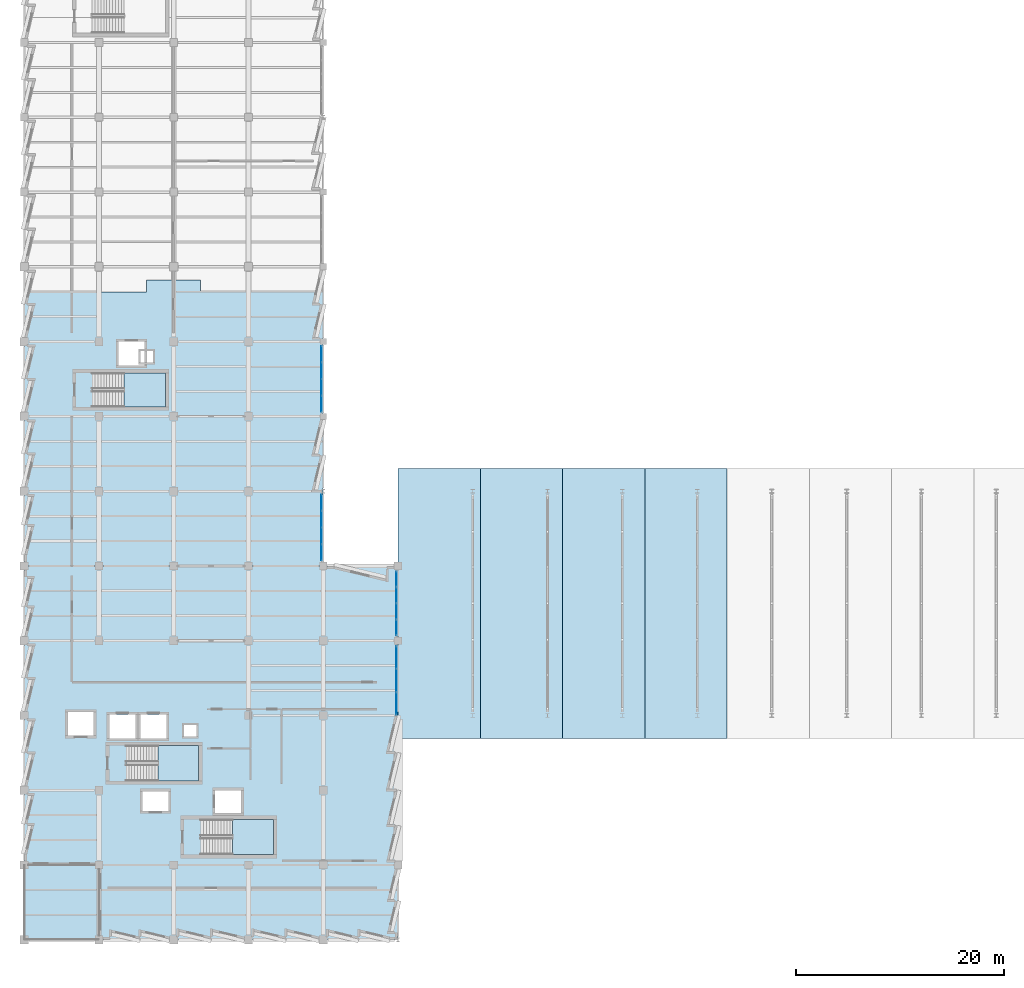
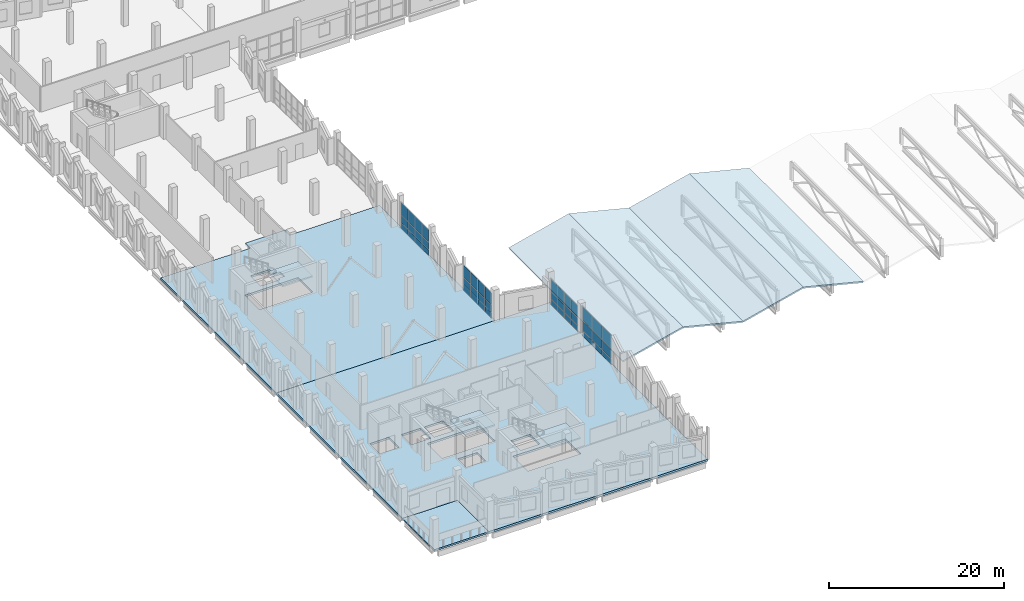
# One storey, part 74 of 123: 45 plates, 10 slabs, 7 elements without a shape of their own.
"""IFC4 building model written with IfcOpenShell, lengths in metres."""

from ifc_helpers import new_model, si_unit, direction, frame, origin, origin_2d, place, context, subcontext, project, spatial, polyline, rectangle, outline, extrude, material, layer, layer_set, type_object, element, aggregate, save


model = new_model("IFC4")

# Units and contexts
model_context = context("Model", 3, precision=1e-05, world=origin(), true_north=direction((0.0, 1.0)))
body_context = subcontext(model_context, "Body", "Model", "MODEL_VIEW")
ifc_project = project(units=[si_unit("LENGTHUNIT", "METRE"), si_unit("AREAUNIT", "SQUARE_METRE"), si_unit("VOLUMEUNIT", "CUBIC_METRE"), si_unit("PLANEANGLEUNIT", "RADIAN"), si_unit("MASSUNIT", "GRAM", prefix="KILO")], contexts=[model_context])

# Site, building, storey
site_placement = place(None, origin())
site = spatial("IfcSite", under=ifc_project, at=site_placement, CompositionType="ELEMENT")
building_placement = place(site_placement, origin())
building = spatial("IfcBuilding", under=site, at=building_placement, Name="Kalmorath City Hall", CompositionType="ELEMENT")
storey_placement = place(building_placement, frame((0.0, 0.0, 10.199951171875)))
storey = spatial("IfcBuildingStorey", under=building, at=storey_placement, Name="L02", CompositionType="ELEMENT", Elevation=10.199951171875)

# Slabs
ifc_material_1 = material(Name="Concrete C40/50", Category="concrete")
ifc_layer_1 = layer(ifc_material_1, 0.280029296875)
ifc_layer_set_1 = layer_set([ifc_layer_1], Name="Concrete C40/50")
slab_type_1 = type_object("IfcSlabType", Name="Concrete composite floor slab 280", PredefinedType="FLOOR", material=ifc_layer_set_1)
slab_1_placement = place(storey_placement, frame((0.0, 0.0, -0.280029296875)))
element("IfcSlab", 1, at=slab_1_placement, inside=storey, type_object=slab_type_1, Name="L02 Corner Administration Block slab FS2-1", PredefinedType="FLOOR", context=body_context, shape_type="SweptSolid", body=[
    extrude(outline(polyline([(0.0, 36.0), (36.0, 36.0), (36.0, 0.0), (7.199951171875, 0.0), (7.199951171875, 7.199951171875), (0.0, 7.199951171875), (0.0, 36.0)]), holes=[polyline([(16.800048828125, 15.300048828125), (16.800048828125, 18.699951171875), (9.840087890625, 18.699951171875), (9.840087890625, 15.300048828125), (16.800048828125, 15.300048828125)]), polyline([(4.199951171875, 19.64990234375), (6.699951171875, 19.64990234375), (6.699951171875, 21.949951171875), (4.199951171875, 21.949951171875), (4.199951171875, 19.64990234375)]), polyline([(8.199951171875, 21.699951171875), (8.199951171875, 19.39990234375), (10.699951171875, 19.39990234375), (10.699951171875, 21.699951171875), (8.199951171875, 21.699951171875)]), polyline([(13.699951171875, 21.699951171875), (11.199951171875, 21.699951171875), (11.199951171875, 19.39990234375), (13.699951171875, 19.39990234375), (13.699951171875, 21.699951171875)]), polyline([(24.0, 8.199951171875), (24.0, 11.60009765625), (17.0400390625, 11.60009765625), (17.0400390625, 8.199951171875), (24.0, 8.199951171875)]), polyline([(11.39990234375, 12.39990234375), (13.89990234375, 12.39990234375), (13.89990234375, 14.300048828125), (11.39990234375, 14.300048828125), (11.39990234375, 12.39990234375)]), polyline([(18.39990234375, 14.39990234375), (18.39990234375, 12.199951171875), (20.89990234375, 12.199951171875), (20.89990234375, 14.39990234375), (18.39990234375, 14.39990234375)]), polyline([(16.60009765625, 20.679931640625), (15.39990234375, 20.679931640625), (15.39990234375, 19.60009765625), (16.60009765625, 19.60009765625), (16.60009765625, 20.679931640625)])]), origin(), (0.0, 0.0, 1.0), 0.280029296875),
])
slab_2_placement = place(storey_placement, frame((0.0, 0.0, -0.280029296875)))
element("IfcSlab", 2, at=slab_2_placement, inside=storey, type_object=slab_type_1, Name="L02 West Sawtooth Wing and Civic Storm Arcade slab FS2-1", PredefinedType="FLOOR", context=body_context, shape_type="SweptSolid", body=[
    extrude(outline(polyline([(0.0, 36.0), (0.0, 62.39990234375), (11.800048828125, 62.39990234375), (11.800048828125, 63.550048828125), (17.0, 63.550048828125), (17.0, 62.39990234375), (28.800048828125, 62.39990234375), (28.800048828125, 36.0), (0.0, 36.0)]), holes=[polyline([(6.590087890625, 54.60009765625), (6.590087890625, 51.300048828125), (13.60009765625, 51.300048828125), (13.60009765625, 54.60009765625), (6.590087890625, 54.60009765625)]), polyline([(11.60009765625, 55.60009765625), (12.39990234375, 55.60009765625), (12.39990234375, 56.679931640625), (11.60009765625, 56.679931640625), (11.60009765625, 57.60009765625), (9.10009765625, 57.60009765625), (9.10009765625, 55.300048828125), (11.60009765625, 55.300048828125), (11.60009765625, 55.60009765625)])]), origin(), (0.0, 0.0, 1.0), 0.280029296875),
])
ifc_material_2 = material(Name="Concrete C40/50", Category="concrete")
ifc_layer_2 = layer(ifc_material_2, 0.199951171875)
ifc_layer_set_2 = layer_set([ifc_layer_2], Name="Concrete C40/50")
slab_type_2 = type_object("IfcSlabType", Name="Concrete folded-plate hall roof slab 200", PredefinedType="ROOF", material=ifc_layer_set_2)
slab_3_placement = place(storey_placement, frame((36.0, 19.39990234375, 1.900146484375), z_axis=(-0.242535625036, 0.0, 0.970142500145), x_axis=(0.970142500145, 0.0, 0.242535625036)))
element("IfcSlab", 3, at=slab_3_placement, inside=storey, type_object=slab_type_2, Name="Public Hall folded roof panel F1", PredefinedType="ROOF", context=body_context, shape_type="SweptSolid", body=[
    extrude(outline(polyline([(0.0, 0.0), (8.163668609316217, 0.0), (8.163668609316217, 26.0), (0.0, 26.0), (0.0, 0.0)])), origin(), (0.0, 0.0, -1.0), 0.199951171875),
])
slab_4_placement = place(storey_placement, frame((43.919921875, 19.39990234375, 3.880126953125), z_axis=(0.242528588587, 0.0, 0.97014425923), x_axis=(0.97014425923, 0.0, -0.242528588587)))
element("IfcSlab", 4, at=slab_4_placement, inside=storey, type_object=slab_type_2, Name="Public Hall folded roof panel F2", PredefinedType="ROOF", context=body_context, shape_type="SweptSolid", body=[
    extrude(outline(polyline([(0.0, 0.0), (8.163905460727278, 0.0), (8.163905460727278, 26.0), (0.0, 26.0), (0.0, 0.0)])), origin(), (0.0, 0.0, -1.0), 0.199951171875),
])
for number, where, z_axis, x_axis, name in (
    (5, (51.840087890625, 19.39990234375, 1.900146484375), (-0.242535625036, 0.0, 0.970142500145), (0.970142500145, 0.0, 0.242535625036), "Public Hall folded roof panel F3"),
    (6, (59.760009765625, 19.39990234375, 3.880126953125), (0.242535625036, 0.0, 0.970142500145), (0.970142500145, 0.0, -0.242535625036), "Public Hall folded roof panel F4"),
):
    element("IfcSlab", number, at=place(storey_placement, frame(where, z_axis=z_axis, x_axis=x_axis)), inside=storey, type_object=slab_type_2, Name=name, PredefinedType="ROOF", context=body_context, shape_type="SweptSolid", body=[
        extrude(outline(polyline([(0.0, 0.0), (8.163668609316217, 0.0), (8.163668609316217, 26.0), (0.0, 26.0), (0.0, 0.0)])), origin(), (0.0, 0.0, -1.0), 0.199951171875),
    ])
ifc_material_3 = material(Name="Concrete C40/50", Category="concrete")
ifc_layer_3 = layer(ifc_material_3, 0.22998046875)
ifc_layer_set_3 = layer_set([ifc_layer_3], Name="Concrete C40/50")
slab_type_3 = type_object("IfcSlabType", Name="Concrete recessed corner loggia slab 230", PredefinedType="FLOOR", material=ifc_layer_set_3)
slab_5_placement = place(storey_placement, frame((0.0, 0.0, -0.22998046875)))
element("IfcSlab", 7, at=slab_5_placement, inside=storey, type_object=slab_type_3, Name="L02 Southwest Corner Loggia slab", PredefinedType="FLOOR", context=body_context, shape_type="SweptSolid", body=[
    extrude(outline(polyline([(0.0, 0.0), (7.199951171875, 0.0), (7.199951171875, 7.199951171875), (0.0, 7.199951171875), (0.0, 0.0)])), origin(), (0.0, 0.0, 1.0), 0.22998046875),
])

# Stair, slab
ifc_material_4 = material(Name="Concrete C40/50", Category="concrete")
stair_type_1 = type_object("IfcStairType", Name="Dogleg concrete exit stair 24R x 188mm W1600", PredefinedType="HALF_TURN_STAIR", material=ifc_material_4)
stair_1_placement = place(storey_placement, origin())
stair_1 = element("IfcStair", 8, at=stair_1_placement, inside=storey, type_object=stair_type_1, Name="L02 Protected exit stair ST-1", PredefinedType="HALF_TURN_STAIR")
ifc_material_5 = material(Name="Concrete C40/50", Category="concrete")
ifc_layer_4 = layer(ifc_material_5, 0.199951171875)
ifc_layer_set_4 = layer_set([ifc_layer_4], Name="Concrete C40/50")
slab_type_4 = type_object("IfcSlabType", Name="Concrete stair half-landing slab 200", PredefinedType="LANDING", material=ifc_layer_set_4)
slab_6_placement = place(storey_placement, frame((0.0, 0.0, 2.050048828125)))
slab_6 = element("IfcSlab", 9, at=slab_6_placement, type_object=slab_type_4, Name="ST-1 landing 1", PredefinedType="LANDING", context=body_context, shape_type="SweptSolid", body=[
    extrude(outline(polyline([(12.8798828125, 15.300048828125), (16.800048828125, 15.300048828125), (16.800048828125, 18.699951171875), (12.8798828125, 18.699951171875), (12.8798828125, 15.300048828125)])), origin(), (0.0, 0.0, 1.0), 0.199951171875),
])
aggregate(stair_1, [slab_6])

stair_2_placement = place(storey_placement, origin())
stair_2 = element("IfcStair", 10, at=stair_2_placement, inside=storey, type_object=stair_type_1, Name="L02 Protected exit stair ST-2", PredefinedType="HALF_TURN_STAIR")
slab_7_placement = place(storey_placement, frame((0.0, 0.0, 2.050048828125)))
slab_7 = element("IfcSlab", 11, at=slab_7_placement, type_object=slab_type_4, Name="ST-2 landing 1", PredefinedType="LANDING", context=body_context, shape_type="SweptSolid", body=[
    extrude(outline(polyline([(20.080078125, 8.199951171875), (24.0, 8.199951171875), (24.0, 11.60009765625), (20.080078125, 11.60009765625), (20.080078125, 8.199951171875)])), origin(), (0.0, 0.0, 1.0), 0.199951171875),
])
aggregate(stair_2, [slab_7])

ifc_material_6 = material(Name="Concrete C40/50", Category="concrete")
stair_type_2 = type_object("IfcStairType", Name="Dogleg concrete exit stair 24R x 188mm W1550", PredefinedType="HALF_TURN_STAIR", material=ifc_material_6)
stair_3_placement = place(storey_placement, origin())
stair_3 = element("IfcStair", 12, at=stair_3_placement, inside=storey, type_object=stair_type_2, Name="L02 Protected exit stair ST-3", PredefinedType="HALF_TURN_STAIR")
slab_8_placement = place(storey_placement, frame((0.0, 0.0, 2.050048828125)))
slab_8 = element("IfcSlab", 13, at=slab_8_placement, type_object=slab_type_4, Name="ST-3 landing 1", PredefinedType="LANDING", context=body_context, shape_type="SweptSolid", body=[
    extrude(outline(polyline([(9.6298828125, 51.300048828125), (13.60009765625, 51.300048828125), (13.60009765625, 54.60009765625), (9.6298828125, 54.60009765625), (9.6298828125, 51.300048828125)])), origin(), (0.0, 0.0, 1.0), 0.199951171875),
])
aggregate(stair_3, [slab_8])

# Curtain wall, plates
ifc_material_7 = material(Name="Anodised aluminium and laminated glass", Category="aluminium")
curtain_wall_type_1 = type_object("IfcCurtainWallType", Name="Unitised hurricane curtain wall 6420x3696 M1450", PredefinedType="NOTDEFINED", material=ifc_material_7)
curtain_wall_1_placement = place(storey_placement, origin())
curtain_wall_1 = element("IfcCurtainWall", 14, at=curtain_wall_1_placement, inside=storey, type_object=curtain_wall_type_1, Name="L02 curtain wall CW-64X37M14 #141", PredefinedType="NOTDEFINED")
ifc_material_8 = material(Name="Hurricane laminated low-E glass", Category="glass")
ifc_layer_5 = layer(ifc_material_8, 0.028076171875)
ifc_layer_set_5 = layer_set([ifc_layer_5], Name="Hurricane laminated low-E glass")
plate_type_1 = type_object("IfcPlateType", Name="Courtyard solar-control glazed panel 28", PredefinedType="CURTAIN_PANEL", material=ifc_layer_set_5)
plate_1_placement = place(storey_placement, frame((28.639892578125, 56.391357421875, 0.06005859375), z_axis=(0.0, 0.0, 1.0), x_axis=(0.0, -1.0, 0.0)))
plate_1 = element("IfcPlate", 15, at=plate_1_placement, type_object=plate_type_1, Name="CW-64X37M14 panel 1.1", PredefinedType="CURTAIN_PANEL", context=body_context, shape_type="SweptSolid", body=[
    extrude(rectangle(XDim=1.507568359375, YDim=0.028076171875, at=origin_2d()), origin(), (0.0, 0.0, 1.0), 0.760009765625),
])
plate_2_placement = place(storey_placement, frame((28.639892578125, 56.391357421875, 0.8798828125), z_axis=(0.0, 0.0, 1.0), x_axis=(0.0, -1.0, 0.0)))
plate_2 = element("IfcPlate", 16, at=plate_2_placement, type_object=plate_type_1, Name="CW-64X37M14 panel 1.2", PredefinedType="CURTAIN_PANEL", context=body_context, shape_type="SweptSolid", body=[
    extrude(rectangle(XDim=1.507568359375, YDim=0.028076171875, at=origin_2d()), origin(), (0.0, 0.0, 1.0), 1.011962890625),
])
plate_3_placement = place(storey_placement, frame((28.639892578125, 56.391357421875, 1.951904296875), z_axis=(0.0, 0.0, 1.0), x_axis=(0.0, -1.0, 0.0)))
plate_3 = element("IfcPlate", 17, at=plate_3_placement, type_object=plate_type_1, Name="CW-64X37M14 panel 1.3", PredefinedType="CURTAIN_PANEL", context=body_context, shape_type="SweptSolid", body=[
    extrude(rectangle(XDim=1.507568359375, YDim=0.028076171875, at=origin_2d()), origin(), (0.0, 0.0, 1.0), 1.68408203125),
])
plate_4_placement = place(storey_placement, frame((28.639892578125, 54.802490234375, 0.06005859375), z_axis=(0.0, 0.0, 1.0), x_axis=(0.0, -1.0, 0.0)))
plate_4 = element("IfcPlate", 18, at=plate_4_placement, type_object=plate_type_1, Name="CW-64X37M14 panel 2.1", PredefinedType="CURTAIN_PANEL", context=body_context, shape_type="SweptSolid", body=[
    extrude(rectangle(XDim=1.5400390625, YDim=0.028076171875, at=origin_2d()), origin(), (0.0, 0.0, 1.0), 0.760009765625),
])
plate_5_placement = place(storey_placement, frame((28.639892578125, 54.802490234375, 0.8798828125), z_axis=(0.0, 0.0, 1.0), x_axis=(0.0, -1.0, 0.0)))
plate_5 = element("IfcPlate", 19, at=plate_5_placement, type_object=plate_type_1, Name="CW-64X37M14 panel 2.2", PredefinedType="CURTAIN_PANEL", context=body_context, shape_type="SweptSolid", body=[
    extrude(rectangle(XDim=1.5400390625, YDim=0.028076171875, at=origin_2d()), origin(), (0.0, 0.0, 1.0), 1.011962890625),
])
plate_6_placement = place(storey_placement, frame((28.639892578125, 54.802490234375, 1.951904296875), z_axis=(0.0, 0.0, 1.0), x_axis=(0.0, -1.0, 0.0)))
plate_6 = element("IfcPlate", 20, at=plate_6_placement, type_object=plate_type_1, Name="CW-64X37M14 panel 2.3", PredefinedType="CURTAIN_PANEL", context=body_context, shape_type="SweptSolid", body=[
    extrude(rectangle(XDim=1.5400390625, YDim=0.028076171875, at=origin_2d()), origin(), (0.0, 0.0, 1.0), 1.68408203125),
])
plate_7_placement = place(storey_placement, frame((28.639892578125, 53.197509765625, 0.06005859375), z_axis=(0.0, 0.0, 1.0), x_axis=(0.0, -1.0, 0.0)))
plate_7 = element("IfcPlate", 21, at=plate_7_placement, type_object=plate_type_1, Name="CW-64X37M14 panel 3.1", PredefinedType="CURTAIN_PANEL", context=body_context, shape_type="SweptSolid", body=[
    extrude(rectangle(XDim=1.5400390625, YDim=0.028076171875, at=origin_2d()), origin(), (0.0, 0.0, 1.0), 0.760009765625),
])
plate_8_placement = place(storey_placement, frame((28.639892578125, 53.197509765625, 0.8798828125), z_axis=(0.0, 0.0, 1.0), x_axis=(0.0, -1.0, 0.0)))
plate_8 = element("IfcPlate", 22, at=plate_8_placement, type_object=plate_type_1, Name="CW-64X37M14 panel 3.2", PredefinedType="CURTAIN_PANEL", context=body_context, shape_type="SweptSolid", body=[
    extrude(rectangle(XDim=1.5400390625, YDim=0.028076171875, at=origin_2d()), origin(), (0.0, 0.0, 1.0), 1.011962890625),
])
plate_9_placement = place(storey_placement, frame((28.639892578125, 53.197509765625, 1.951904296875), z_axis=(0.0, 0.0, 1.0), x_axis=(0.0, -1.0, 0.0)))
plate_9 = element("IfcPlate", 23, at=plate_9_placement, type_object=plate_type_1, Name="CW-64X37M14 panel 3.3", PredefinedType="CURTAIN_PANEL", context=body_context, shape_type="SweptSolid", body=[
    extrude(rectangle(XDim=1.5400390625, YDim=0.028076171875, at=origin_2d()), origin(), (0.0, 0.0, 1.0), 1.68408203125),
])
plate_10_placement = place(storey_placement, frame((28.639892578125, 51.608642578125, 0.06005859375), z_axis=(0.0, 0.0, 1.0), x_axis=(0.0, -1.0, 0.0)))
plate_10 = element("IfcPlate", 24, at=plate_10_placement, type_object=plate_type_1, Name="CW-64X37M14 panel 4.1", PredefinedType="CURTAIN_PANEL", context=body_context, shape_type="SweptSolid", body=[
    extrude(rectangle(XDim=1.507568359375, YDim=0.028076171875, at=origin_2d()), origin(), (0.0, 0.0, 1.0), 0.760009765625),
])
plate_11_placement = place(storey_placement, frame((28.639892578125, 51.608642578125, 0.8798828125), z_axis=(0.0, 0.0, 1.0), x_axis=(0.0, -1.0, 0.0)))
plate_11 = element("IfcPlate", 25, at=plate_11_placement, type_object=plate_type_1, Name="CW-64X37M14 panel 4.2", PredefinedType="CURTAIN_PANEL", context=body_context, shape_type="SweptSolid", body=[
    extrude(rectangle(XDim=1.507568359375, YDim=0.028076171875, at=origin_2d()), origin(), (0.0, 0.0, 1.0), 1.011962890625),
])
plate_12_placement = place(storey_placement, frame((28.639892578125, 51.608642578125, 1.951904296875), z_axis=(0.0, 0.0, 1.0), x_axis=(0.0, -1.0, 0.0)))
plate_12 = element("IfcPlate", 26, at=plate_12_placement, type_object=plate_type_1, Name="CW-64X37M14 panel 4.3", PredefinedType="CURTAIN_PANEL", context=body_context, shape_type="SweptSolid", body=[
    extrude(rectangle(XDim=1.507568359375, YDim=0.028076171875, at=origin_2d()), origin(), (0.0, 0.0, 1.0), 1.68408203125),
])
aggregate(curtain_wall_1, [plate_1, plate_2, plate_3, plate_4, plate_5, plate_6, plate_7, plate_8, plate_9, plate_10, plate_11, plate_12])

ifc_material_9 = material(Name="Anodised aluminium and laminated glass", Category="aluminium")
curtain_wall_type_2 = type_object("IfcCurtainWallType", Name="Unitised hurricane curtain wall 6468x3618 M1450", PredefinedType="NOTDEFINED", material=ifc_material_9)
curtain_wall_2_placement = place(storey_placement, origin())
curtain_wall_2 = element("IfcCurtainWall", 27, at=curtain_wall_2_placement, inside=storey, type_object=curtain_wall_type_2, Name="L02 curtain wall CW-65X36M14 #142", PredefinedType="NOTDEFINED")
plate_13_placement = place(storey_placement, frame((28.639892578125, 42.108642578125, 0.06005859375), z_axis=(0.0, 0.0, 1.0), x_axis=(0.0, -1.0, 0.0)))
plate_13 = element("IfcPlate", 28, at=plate_13_placement, type_object=plate_type_1, Name="CW-65X36M14 panel 1.1", PredefinedType="CURTAIN_PANEL", context=body_context, shape_type="SweptSolid", body=[
    extrude(rectangle(XDim=1.51953125, YDim=0.028076171875, at=origin_2d()), origin(), (0.0, 0.0, 1.0), 0.760009765625),
])
plate_14_placement = place(storey_placement, frame((28.639892578125, 42.108642578125, 0.8798828125), z_axis=(0.0, 0.0, 1.0), x_axis=(0.0, -1.0, 0.0)))
plate_14 = element("IfcPlate", 29, at=plate_14_placement, type_object=plate_type_1, Name="CW-65X36M14 panel 1.2", PredefinedType="CURTAIN_PANEL", context=body_context, shape_type="SweptSolid", body=[
    extrude(rectangle(XDim=1.51953125, YDim=0.028076171875, at=origin_2d()), origin(), (0.0, 0.0, 1.0), 0.970947265625),
])
plate_15_placement = place(storey_placement, frame((28.639892578125, 42.108642578125, 1.9111328125), z_axis=(0.0, 0.0, 1.0), x_axis=(0.0, -1.0, 0.0)))
plate_15 = element("IfcPlate", 30, at=plate_15_placement, type_object=plate_type_1, Name="CW-65X36M14 panel 1.3", PredefinedType="CURTAIN_PANEL", context=body_context, shape_type="SweptSolid", body=[
    extrude(rectangle(XDim=1.51953125, YDim=0.028076171875, at=origin_2d()), origin(), (0.0, 0.0, 1.0), 1.64697265625),
])
plate_16_placement = place(storey_placement, frame((28.639892578125, 40.5078125, 0.06005859375), z_axis=(0.0, 0.0, 1.0), x_axis=(0.0, -1.0, 0.0)))
plate_16 = element("IfcPlate", 31, at=plate_16_placement, type_object=plate_type_1, Name="CW-65X36M14 panel 2.1", PredefinedType="CURTAIN_PANEL", context=body_context, shape_type="SweptSolid", body=[
    extrude(rectangle(XDim=1.55224609375, YDim=0.028076171875, at=origin_2d()), origin(), (0.0, 0.0, 1.0), 0.760009765625),
])
plate_17_placement = place(storey_placement, frame((28.639892578125, 40.5078125, 0.8798828125), z_axis=(0.0, 0.0, 1.0), x_axis=(0.0, -1.0, 0.0)))
plate_17 = element("IfcPlate", 32, at=plate_17_placement, type_object=plate_type_1, Name="CW-65X36M14 panel 2.2", PredefinedType="CURTAIN_PANEL", context=body_context, shape_type="SweptSolid", body=[
    extrude(rectangle(XDim=1.55224609375, YDim=0.028076171875, at=origin_2d()), origin(), (0.0, 0.0, 1.0), 0.970947265625),
])
plate_18_placement = place(storey_placement, frame((28.639892578125, 40.5078125, 1.9111328125), z_axis=(0.0, 0.0, 1.0), x_axis=(0.0, -1.0, 0.0)))
plate_18 = element("IfcPlate", 33, at=plate_18_placement, type_object=plate_type_1, Name="CW-65X36M14 panel 2.3", PredefinedType="CURTAIN_PANEL", context=body_context, shape_type="SweptSolid", body=[
    extrude(rectangle(XDim=1.55224609375, YDim=0.028076171875, at=origin_2d()), origin(), (0.0, 0.0, 1.0), 1.64697265625),
])
plate_19_placement = place(storey_placement, frame((28.639892578125, 38.890625, 0.06005859375), z_axis=(0.0, 0.0, 1.0), x_axis=(0.0, -1.0, 0.0)))
plate_19 = element("IfcPlate", 34, at=plate_19_placement, type_object=plate_type_1, Name="CW-65X36M14 panel 3.1", PredefinedType="CURTAIN_PANEL", context=body_context, shape_type="SweptSolid", body=[
    extrude(rectangle(XDim=1.55224609375, YDim=0.028076171875, at=origin_2d()), origin(), (0.0, 0.0, 1.0), 0.760009765625),
])
plate_20_placement = place(storey_placement, frame((28.639892578125, 38.890625, 0.8798828125), z_axis=(0.0, 0.0, 1.0), x_axis=(0.0, -1.0, 0.0)))
plate_20 = element("IfcPlate", 35, at=plate_20_placement, type_object=plate_type_1, Name="CW-65X36M14 panel 3.2", PredefinedType="CURTAIN_PANEL", context=body_context, shape_type="SweptSolid", body=[
    extrude(rectangle(XDim=1.55224609375, YDim=0.028076171875, at=origin_2d()), origin(), (0.0, 0.0, 1.0), 0.970947265625),
])
plate_21_placement = place(storey_placement, frame((28.639892578125, 38.890625, 1.9111328125), z_axis=(0.0, 0.0, 1.0), x_axis=(0.0, -1.0, 0.0)))
plate_21 = element("IfcPlate", 36, at=plate_21_placement, type_object=plate_type_1, Name="CW-65X36M14 panel 3.3", PredefinedType="CURTAIN_PANEL", context=body_context, shape_type="SweptSolid", body=[
    extrude(rectangle(XDim=1.55224609375, YDim=0.028076171875, at=origin_2d()), origin(), (0.0, 0.0, 1.0), 1.64697265625),
])
plate_22_placement = place(storey_placement, frame((28.639892578125, 37.289794921875, 0.06005859375), z_axis=(0.0, 0.0, 1.0), x_axis=(0.0, -1.0, 0.0)))
plate_22 = element("IfcPlate", 37, at=plate_22_placement, type_object=plate_type_1, Name="CW-65X36M14 panel 4.1", PredefinedType="CURTAIN_PANEL", context=body_context, shape_type="SweptSolid", body=[
    extrude(rectangle(XDim=1.51953125, YDim=0.028076171875, at=origin_2d()), origin(), (0.0, 0.0, 1.0), 0.760009765625),
])
plate_23_placement = place(storey_placement, frame((28.639892578125, 37.289794921875, 0.8798828125), z_axis=(0.0, 0.0, 1.0), x_axis=(0.0, -1.0, 0.0)))
plate_23 = element("IfcPlate", 38, at=plate_23_placement, type_object=plate_type_1, Name="CW-65X36M14 panel 4.2", PredefinedType="CURTAIN_PANEL", context=body_context, shape_type="SweptSolid", body=[
    extrude(rectangle(XDim=1.51953125, YDim=0.028076171875, at=origin_2d()), origin(), (0.0, 0.0, 1.0), 0.970947265625),
])
plate_24_placement = place(storey_placement, frame((28.639892578125, 37.289794921875, 1.9111328125), z_axis=(0.0, 0.0, 1.0), x_axis=(0.0, -1.0, 0.0)))
plate_24 = element("IfcPlate", 39, at=plate_24_placement, type_object=plate_type_1, Name="CW-65X36M14 panel 4.3", PredefinedType="CURTAIN_PANEL", context=body_context, shape_type="SweptSolid", body=[
    extrude(rectangle(XDim=1.51953125, YDim=0.028076171875, at=origin_2d()), origin(), (0.0, 0.0, 1.0), 1.64697265625),
])
aggregate(curtain_wall_2, [plate_13, plate_14, plate_15, plate_16, plate_17, plate_18, plate_19, plate_20, plate_21, plate_22, plate_23, plate_24])

ifc_material_10 = material(Name="Anodised aluminium and laminated glass", Category="aluminium")
curtain_wall_type_3 = type_object("IfcCurtainWallType", Name="Unitised hurricane curtain wall 6270x3696 M1500", PredefinedType="NOTDEFINED", material=ifc_material_10)
curtain_wall_3_placement = place(storey_placement, origin())
curtain_wall_3 = element("IfcCurtainWall", 40, at=curtain_wall_3_placement, inside=storey, type_object=curtain_wall_type_3, Name="L02 curtain wall CW-63X37M15 #143", PredefinedType="NOTDEFINED")
ifc_material_11 = material(Name="Hurricane laminated low-E glass", Category="glass")
ifc_layer_6 = layer(ifc_material_11, 0.031982421875)
ifc_layer_set_6 = layer_set([ifc_layer_6], Name="Hurricane laminated low-E glass")
plate_type_2 = type_object("IfcPlateType", Name="Hurricane impact double-glazed panel 32", PredefinedType="CURTAIN_PANEL", material=ifc_layer_set_6)
plate_25_placement = place(storey_placement, frame((35.840087890625, 34.732421875, 0.065185546875), z_axis=(0.0, 0.0, 1.0), x_axis=(0.0, -1.0, 0.0)))
plate_25 = element("IfcPlate", 41, at=plate_25_placement, type_object=plate_type_2, Name="CW-63X37M15 panel 1.1", PredefinedType="CURTAIN_PANEL", context=body_context, shape_type="SweptSolid", body=[
    extrude(rectangle(XDim=1.455078125, YDim=0.031982421875, at=origin_2d()), origin(), (0.0, 0.0, 1.0), 0.75244140625),
])
plate_26_placement = place(storey_placement, frame((35.840087890625, 34.732421875, 0.88232421875), z_axis=(0.0, 0.0, 1.0), x_axis=(0.0, -1.0, 0.0)))
plate_26 = element("IfcPlate", 42, at=plate_26_placement, type_object=plate_type_2, Name="CW-63X37M15 panel 1.2", PredefinedType="CURTAIN_PANEL", context=body_context, shape_type="SweptSolid", body=[
    extrude(rectangle(XDim=1.455078125, YDim=0.031982421875, at=origin_2d()), origin(), (0.0, 0.0, 1.0), 1.007080078125),
])
plate_27_placement = place(storey_placement, frame((35.840087890625, 34.732421875, 1.95458984375), z_axis=(0.0, 0.0, 1.0), x_axis=(0.0, -1.0, 0.0)))
plate_27 = element("IfcPlate", 43, at=plate_27_placement, type_object=plate_type_2, Name="CW-63X37M15 panel 1.3", PredefinedType="CURTAIN_PANEL", context=body_context, shape_type="SweptSolid", body=[
    extrude(rectangle(XDim=1.455078125, YDim=0.031982421875, at=origin_2d()), origin(), (0.0, 0.0, 1.0), 1.676513671875),
])
plate_28_placement = place(storey_placement, frame((35.840087890625, 33.183837890625, 0.065185546875), z_axis=(0.0, 0.0, 1.0), x_axis=(0.0, -1.0, 0.0)))
plate_28 = element("IfcPlate", 44, at=plate_28_placement, type_object=plate_type_2, Name="CW-63X37M15 panel 2.1", PredefinedType="CURTAIN_PANEL", context=body_context, shape_type="SweptSolid", body=[
    extrude(rectangle(XDim=1.492431640625, YDim=0.031982421875, at=origin_2d()), origin(), (0.0, 0.0, 1.0), 0.75244140625),
])
plate_29_placement = place(storey_placement, frame((35.840087890625, 33.183837890625, 0.88232421875), z_axis=(0.0, 0.0, 1.0), x_axis=(0.0, -1.0, 0.0)))
plate_29 = element("IfcPlate", 45, at=plate_29_placement, type_object=plate_type_2, Name="CW-63X37M15 panel 2.2", PredefinedType="CURTAIN_PANEL", context=body_context, shape_type="SweptSolid", body=[
    extrude(rectangle(XDim=1.492431640625, YDim=0.031982421875, at=origin_2d()), origin(), (0.0, 0.0, 1.0), 1.007080078125),
])
plate_30_placement = place(storey_placement, frame((35.840087890625, 33.183837890625, 1.95458984375), z_axis=(0.0, 0.0, 1.0), x_axis=(0.0, -1.0, 0.0)))
plate_30 = element("IfcPlate", 46, at=plate_30_placement, type_object=plate_type_2, Name="CW-63X37M15 panel 2.3", PredefinedType="CURTAIN_PANEL", context=body_context, shape_type="SweptSolid", body=[
    extrude(rectangle(XDim=1.492431640625, YDim=0.031982421875, at=origin_2d()), origin(), (0.0, 0.0, 1.0), 1.676513671875),
])
plate_31_placement = place(storey_placement, frame((35.840087890625, 31.6162109375, 0.065185546875), z_axis=(0.0, 0.0, 1.0), x_axis=(0.0, -1.0, 0.0)))
plate_31 = element("IfcPlate", 47, at=plate_31_placement, type_object=plate_type_2, Name="CW-63X37M15 panel 3.1", PredefinedType="CURTAIN_PANEL", context=body_context, shape_type="SweptSolid", body=[
    extrude(rectangle(XDim=1.492431640625, YDim=0.031982421875, at=origin_2d()), origin(), (0.0, 0.0, 1.0), 0.75244140625),
])
plate_32_placement = place(storey_placement, frame((35.840087890625, 31.6162109375, 0.88232421875), z_axis=(0.0, 0.0, 1.0), x_axis=(0.0, -1.0, 0.0)))
plate_32 = element("IfcPlate", 48, at=plate_32_placement, type_object=plate_type_2, Name="CW-63X37M15 panel 3.2", PredefinedType="CURTAIN_PANEL", context=body_context, shape_type="SweptSolid", body=[
    extrude(rectangle(XDim=1.492431640625, YDim=0.031982421875, at=origin_2d()), origin(), (0.0, 0.0, 1.0), 1.007080078125),
])
plate_33_placement = place(storey_placement, frame((35.840087890625, 31.6162109375, 1.95458984375), z_axis=(0.0, 0.0, 1.0), x_axis=(0.0, -1.0, 0.0)))
plate_33 = element("IfcPlate", 49, at=plate_33_placement, type_object=plate_type_2, Name="CW-63X37M15 panel 3.3", PredefinedType="CURTAIN_PANEL", context=body_context, shape_type="SweptSolid", body=[
    extrude(rectangle(XDim=1.492431640625, YDim=0.031982421875, at=origin_2d()), origin(), (0.0, 0.0, 1.0), 1.676513671875),
])
plate_34_placement = place(storey_placement, frame((35.840087890625, 30.0673828125, 0.065185546875), z_axis=(0.0, 0.0, 1.0), x_axis=(0.0, -1.0, 0.0)))
plate_34 = element("IfcPlate", 50, at=plate_34_placement, type_object=plate_type_2, Name="CW-63X37M15 panel 4.1", PredefinedType="CURTAIN_PANEL", context=body_context, shape_type="SweptSolid", body=[
    extrude(rectangle(XDim=1.455078125, YDim=0.031982421875, at=origin_2d()), origin(), (0.0, 0.0, 1.0), 0.75244140625),
])
plate_35_placement = place(storey_placement, frame((35.840087890625, 30.0673828125, 0.88232421875), z_axis=(0.0, 0.0, 1.0), x_axis=(0.0, -1.0, 0.0)))
plate_35 = element("IfcPlate", 51, at=plate_35_placement, type_object=plate_type_2, Name="CW-63X37M15 panel 4.2", PredefinedType="CURTAIN_PANEL", context=body_context, shape_type="SweptSolid", body=[
    extrude(rectangle(XDim=1.455078125, YDim=0.031982421875, at=origin_2d()), origin(), (0.0, 0.0, 1.0), 1.007080078125),
])
plate_36_placement = place(storey_placement, frame((35.840087890625, 30.0673828125, 1.95458984375), z_axis=(0.0, 0.0, 1.0), x_axis=(0.0, -1.0, 0.0)))
plate_36 = element("IfcPlate", 52, at=plate_36_placement, type_object=plate_type_2, Name="CW-63X37M15 panel 4.3", PredefinedType="CURTAIN_PANEL", context=body_context, shape_type="SweptSolid", body=[
    extrude(rectangle(XDim=1.455078125, YDim=0.031982421875, at=origin_2d()), origin(), (0.0, 0.0, 1.0), 1.676513671875),
])
aggregate(curtain_wall_3, [plate_25, plate_26, plate_27, plate_28, plate_29, plate_30, plate_31, plate_32, plate_33, plate_34, plate_35, plate_36])

ifc_material_12 = material(Name="Anodised aluminium and laminated glass", Category="aluminium")
curtain_wall_type_4 = type_object("IfcCurtainWallType", Name="Unitised hurricane curtain wall 6735x4240 M2100", PredefinedType="NOTDEFINED", material=ifc_material_12)
curtain_wall_4_placement = place(storey_placement, origin())
curtain_wall_4 = element("IfcCurtainWall", 53, at=curtain_wall_4_placement, inside=storey, type_object=curtain_wall_type_4, Name="L02 curtain wall CW-67X42M21 #144", PredefinedType="NOTDEFINED")
plate_37_placement = place(storey_placement, frame((35.840087890625, 27.19384765625, 0.065185546875), z_axis=(0.0, 0.0, 1.0), x_axis=(0.0, -1.0, 0.0)))
plate_37 = element("IfcPlate", 54, at=plate_37_placement, type_object=plate_type_2, Name="CW-67X42M21 panel 1.1", PredefinedType="CURTAIN_PANEL", context=body_context, shape_type="SweptSolid", body=[
    extrude(rectangle(XDim=2.132568359375, YDim=0.031982421875, at=origin_2d()), origin(), (0.0, 0.0, 1.0), 0.75244140625),
])
plate_38_placement = place(storey_placement, frame((35.840087890625, 27.19384765625, 0.882568359375), z_axis=(0.0, 0.0, 1.0), x_axis=(0.0, -1.0, 0.0)))
plate_38 = element("IfcPlate", 55, at=plate_38_placement, type_object=plate_type_2, Name="CW-67X42M21 panel 1.2", PredefinedType="CURTAIN_PANEL", context=body_context, shape_type="SweptSolid", body=[
    extrude(rectangle(XDim=2.132568359375, YDim=0.031982421875, at=origin_2d()), origin(), (0.0, 0.0, 1.0), 1.2900390625),
])
plate_39_placement = place(storey_placement, frame((35.840087890625, 27.19384765625, 2.237548828125), z_axis=(0.0, 0.0, 1.0), x_axis=(0.0, -1.0, 0.0)))
plate_39 = element("IfcPlate", 56, at=plate_39_placement, type_object=plate_type_2, Name="CW-67X42M21 panel 1.3", PredefinedType="CURTAIN_PANEL", context=body_context, shape_type="SweptSolid", body=[
    extrude(rectangle(XDim=2.132568359375, YDim=0.031982421875, at=origin_2d()), origin(), (0.0, 0.0, 1.0), 1.9375),
])
plate_40_placement = place(storey_placement, frame((35.840087890625, 24.967529296875, 0.065185546875), z_axis=(0.0, 0.0, 1.0), x_axis=(0.0, -1.0, 0.0)))
plate_40 = element("IfcPlate", 57, at=plate_40_placement, type_object=plate_type_2, Name="CW-67X42M21 panel 2.1", PredefinedType="CURTAIN_PANEL", context=body_context, shape_type="SweptSolid", body=[
    extrude(rectangle(XDim=2.169921875, YDim=0.031982421875, at=origin_2d()), origin(), (0.0, 0.0, 1.0), 0.75244140625),
])
plate_41_placement = place(storey_placement, frame((35.840087890625, 24.967529296875, 0.882568359375), z_axis=(0.0, 0.0, 1.0), x_axis=(0.0, -1.0, 0.0)))
plate_41 = element("IfcPlate", 58, at=plate_41_placement, type_object=plate_type_2, Name="CW-67X42M21 panel 2.2", PredefinedType="CURTAIN_PANEL", context=body_context, shape_type="SweptSolid", body=[
    extrude(rectangle(XDim=2.169921875, YDim=0.031982421875, at=origin_2d()), origin(), (0.0, 0.0, 1.0), 1.2900390625),
])
plate_42_placement = place(storey_placement, frame((35.840087890625, 24.967529296875, 2.237548828125), z_axis=(0.0, 0.0, 1.0), x_axis=(0.0, -1.0, 0.0)))
plate_42 = element("IfcPlate", 59, at=plate_42_placement, type_object=plate_type_2, Name="CW-67X42M21 panel 2.3", PredefinedType="CURTAIN_PANEL", context=body_context, shape_type="SweptSolid", body=[
    extrude(rectangle(XDim=2.169921875, YDim=0.031982421875, at=origin_2d()), origin(), (0.0, 0.0, 1.0), 1.9375),
])
plate_43_placement = place(storey_placement, frame((35.840087890625, 22.7412109375, 0.065185546875), z_axis=(0.0, 0.0, 1.0), x_axis=(0.0, -1.0, 0.0)))
plate_43 = element("IfcPlate", 60, at=plate_43_placement, type_object=plate_type_2, Name="CW-67X42M21 panel 3.1", PredefinedType="CURTAIN_PANEL", context=body_context, shape_type="SweptSolid", body=[
    extrude(rectangle(XDim=2.132568359375, YDim=0.031982421875, at=origin_2d()), origin(), (0.0, 0.0, 1.0), 0.75244140625),
])
plate_44_placement = place(storey_placement, frame((35.840087890625, 22.7412109375, 0.882568359375), z_axis=(0.0, 0.0, 1.0), x_axis=(0.0, -1.0, 0.0)))
plate_44 = element("IfcPlate", 61, at=plate_44_placement, type_object=plate_type_2, Name="CW-67X42M21 panel 3.2", PredefinedType="CURTAIN_PANEL", context=body_context, shape_type="SweptSolid", body=[
    extrude(rectangle(XDim=2.132568359375, YDim=0.031982421875, at=origin_2d()), origin(), (0.0, 0.0, 1.0), 1.2900390625),
])
plate_45_placement = place(storey_placement, frame((35.840087890625, 22.7412109375, 2.237548828125), z_axis=(0.0, 0.0, 1.0), x_axis=(0.0, -1.0, 0.0)))
plate_45 = element("IfcPlate", 62, at=plate_45_placement, type_object=plate_type_2, Name="CW-67X42M21 panel 3.3", PredefinedType="CURTAIN_PANEL", context=body_context, shape_type="SweptSolid", body=[
    extrude(rectangle(XDim=2.132568359375, YDim=0.031982421875, at=origin_2d()), origin(), (0.0, 0.0, 1.0), 1.9375),
])
aggregate(curtain_wall_4, [plate_37, plate_38, plate_39, plate_40, plate_41, plate_42, plate_43, plate_44, plate_45])

save(model, "model.ifc")
